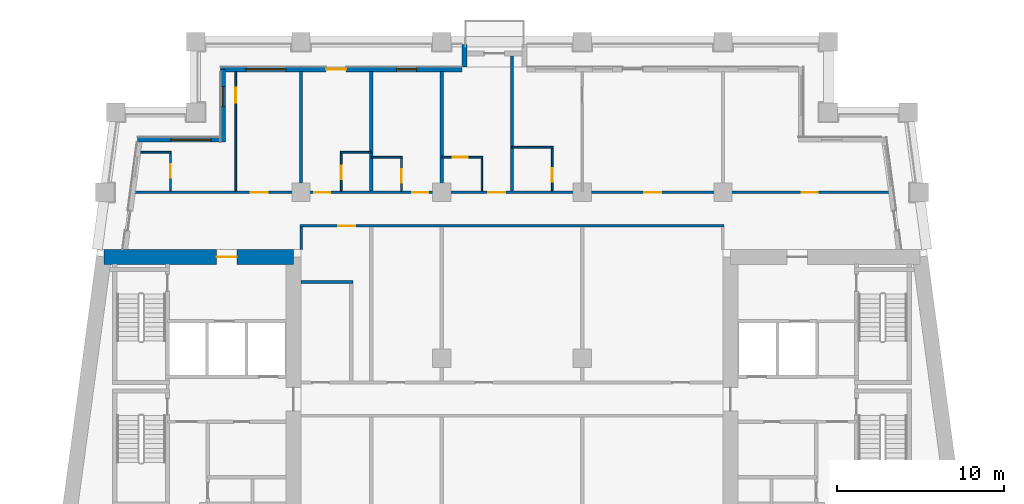
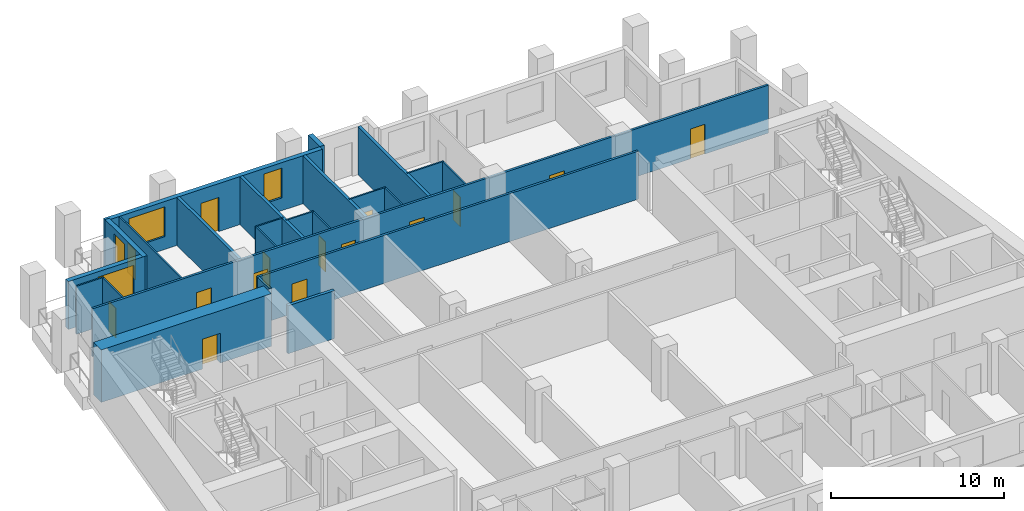
# One storey, part 6 of 12: 24 walls, 15 doors, 4 windows, 19 openings.
"""IFC4 building model written with IfcOpenShell, lengths in metres."""

from ifc_helpers import new_model, si_unit, direction, frame, frame_2d, origin, place, context, subcontext, project, spatial, rectangle, extrude, material, layer, layer_set, type_object, element, fill, save


model = new_model("IFC4")

# Units and contexts
model_context = context("Model", 3, precision=1e-05, world=origin(), true_north=direction((0.0, 1.0)))
body_context = subcontext(model_context, "Body", "Model", "MODEL_VIEW")
ifc_project = project(units=[si_unit("LENGTHUNIT", "METRE"), si_unit("AREAUNIT", "SQUARE_METRE"), si_unit("VOLUMEUNIT", "CUBIC_METRE"), si_unit("PLANEANGLEUNIT", "RADIAN"), si_unit("MASSUNIT", "GRAM", prefix="KILO")], contexts=[model_context])

# Site, building, storey
site_placement = place(None, origin())
site = spatial("IfcSite", under=ifc_project, at=site_placement, CompositionType="ELEMENT")
building_placement = place(site_placement, origin())
building = spatial("IfcBuilding", under=site, at=building_placement, Name="Candeia Pilgrim Tower and Theatre", CompositionType="ELEMENT")
storey_placement = place(building_placement, frame((0.0, 0.0, 184.800048828125)))
storey = spatial("IfcBuildingStorey", under=building, at=storey_placement, Name="L44", CompositionType="ELEMENT", Elevation=184.800048828125)

# Wall, opening, door
ifc_material_1 = material(Name="Concrete C60/75", Category="concrete")
ifc_layer_1 = layer(ifc_material_1, 0.89990234375)
ifc_layer_set_1 = layer_set([ifc_layer_1], Name="Core wall 900 C60/75")
wall_type_1 = type_object("IfcWallType", Name="Core wall 900 C60/75", PredefinedType="SHEAR", material=ifc_layer_set_1)
wall_1_placement = place(storey_placement, frame((89.024169921875, 131.949951171875, 0.0), z_axis=(0.0, 0.0, 1.0), x_axis=(1.0, 0.0, 0.0)))
wall_1 = element("IfcWall", 1, at=wall_1_placement, inside=storey, type_object=wall_type_1, Name="Core wall W1", PredefinedType="SHEAR", context=body_context, shape_type="SweptSolid", body=[
    extrude(rectangle(XDim=11.325927734375, YDim=0.89990234375, at=frame_2d((5.6630859375, 0.0))), origin(), (0.0, 0.0, 1.0), 3.699951171875),
])
opening_1_placement = place(wall_1_placement, frame((6.7392578125, 0.0, 0.0)))
opening_1 = element("IfcOpeningElement", 2, at=opening_1_placement, cuts=wall_1, Name="Opening L44-D054", PredefinedType="OPENING", context=body_context, shape_type="SweptSolid", body=[
    extrude(rectangle(XDim=1.199951171875, YDim=2.10009765625, at=frame_2d((0.60009765625, 1.050048828125))), frame((0.0, 0.4599609375, 0.0), z_axis=(0.0, -1.0, 0.0), x_axis=(1.0, 0.0, 0.0)), (0.0, 0.0, 1.0), 0.919921875),
])
ifc_material_2 = material(Name="Steel fire door set", Category="steel")
door_type_1 = type_object("IfcDoorType", Name="D-1200-FD60", OperationType="NOTDEFINED", PredefinedType="DOOR", material=ifc_material_2)
door_1_placement = place(opening_1_placement, origin())
door_1 = element("IfcDoor", 3, at=door_1_placement, inside=storey, type_object=door_type_1, Name="Door L44-D054", OperationType="SINGLE_SWING_RIGHT", OverallHeight=2.10009765625, OverallWidth=1.199951171875, PredefinedType="DOOR", context=body_context, shape_type="SweptSolid", body=[
    extrude(rectangle(XDim=1.199951171875, YDim=2.10009765625, at=frame_2d((0.60009765625, 1.050048828125))), frame((0.0, 0.02490234375, 0.0), z_axis=(0.0, -1.0, 0.0), x_axis=(1.0, 0.0, 0.0)), (0.0, 0.0, 1.0), 0.050048828125),
])
fill(opening_1, door_1)

# Wall, openings, door, windows
ifc_material_3 = material(Name="Ceramic block masonry", Category="masonry")
ifc_layer_2 = layer(ifc_material_3, 0.300048828125)
ifc_layer_set_2 = layer_set([ifc_layer_2], Name="EW1 glazing-line wall 300")
wall_type_2 = type_object("IfcWallType", Name="EW1 glazing-line wall 300", PredefinedType="SOLIDWALL", material=ifc_layer_set_2)
wall_2_placement = place(storey_placement, frame((110.39990234375, 143.14990234375, 0.0), z_axis=(0.0, 0.0, 1.0), x_axis=(-1.0, 0.0, 0.0)))
wall_2 = element("IfcWall", 4, at=wall_2_placement, inside=storey, type_object=wall_type_2, Name="External wall L44-6.1", PredefinedType="SOLIDWALL", context=body_context, shape_type="SweptSolid", body=[
    extrude(rectangle(XDim=14.39990234375, YDim=0.300048828125, at=frame_2d((7.199951171875, 0.0))), origin(), (0.0, 0.0, 1.0), 3.3798828125),
])
opening_2_placement = place(wall_2_placement, frame((2.699951171875, 0.0, 0.89990234375)))
opening_2 = element("IfcOpeningElement", 5, at=opening_2_placement, cuts=wall_2, Name="Opening W-B", PredefinedType="OPENING", context=body_context, shape_type="SweptSolid", body=[
    extrude(rectangle(XDim=1.199951171875, YDim=2.10009765625, at=frame_2d((0.60009765625, 1.050048828125))), frame((0.0, 0.16015625, 0.0), z_axis=(0.0, -1.0, 0.0), x_axis=(1.0, 0.0, 0.0)), (0.0, 0.0, 1.0), 0.320068359375),
])
opening_3_placement = place(wall_2_placement, frame((6.89990234375, 0.0, 0.0)))
opening_3 = element("IfcOpeningElement", 6, at=opening_3_placement, cuts=wall_2, Name="Opening L44-ED425", PredefinedType="OPENING", context=body_context, shape_type="SweptSolid", body=[
    extrude(rectangle(XDim=1.199951171875, YDim=2.39990234375, at=frame_2d((0.60009765625, 1.199951171875))), frame((0.0, 0.16015625, 0.0), z_axis=(0.0, -1.0, 0.0), x_axis=(1.0, 0.0, 0.0)), (0.0, 0.0, 1.0), 0.320068359375),
])
opening_4_placement = place(wall_2_placement, frame((10.5, 0.0, 0.89990234375)))
opening_4 = element("IfcOpeningElement", 7, at=opening_4_placement, cuts=wall_2, Name="Opening W-A", PredefinedType="OPENING", context=body_context, shape_type="SweptSolid", body=[
    extrude(rectangle(XDim=2.39990234375, YDim=2.10009765625, at=frame_2d((1.199951171875, 1.050048828125))), frame((0.0, 0.16015625, 0.0), z_axis=(0.0, -1.0, 0.0), x_axis=(1.0, 0.0, 0.0)), (0.0, 0.0, 1.0), 0.320068359375),
])
ifc_material_4 = material(Name="Aluminium framed glazed door", Category="aluminium")
door_type_2 = type_object("IfcDoorType", Name="Loggia door 1200x2400", OperationType="DOUBLE_DOOR_SINGLE_SWING", PredefinedType="DOOR", material=ifc_material_4)
door_2_placement = place(opening_3_placement, origin())
door_2 = element("IfcDoor", 8, at=door_2_placement, inside=storey, type_object=door_type_2, Name="Loggia door L44-ED425", OperationType="DOUBLE_DOOR_SINGLE_SWING", OverallHeight=2.39990234375, OverallWidth=1.199951171875, PredefinedType="DOOR", context=body_context, shape_type="SweptSolid", body=[
    extrude(rectangle(XDim=1.199951171875, YDim=2.39990234375, at=frame_2d((0.60009765625, 1.199951171875))), frame((0.0, 0.02490234375, 0.0), z_axis=(0.0, -1.0, 0.0), x_axis=(1.0, 0.0, 0.0)), (0.0, 0.0, 1.0), 0.050048828125),
])
fill(opening_3, door_2)
ifc_material_5 = material(Name="Aluminium framed double glazing", Category="aluminium")
window_type_1 = type_object("IfcWindowType", Name="W-A window 2400x2100", PartitioningType="DOUBLE_PANEL_VERTICAL", PredefinedType="WINDOW", material=ifc_material_5)
window_1_placement = place(opening_4_placement, origin())
window_1 = element("IfcWindow", 9, at=window_1_placement, inside=storey, type_object=window_type_1, Name="Window W-A L44", OverallHeight=2.10009765625, OverallWidth=2.39990234375, PartitioningType="SINGLE_PANEL", PredefinedType="WINDOW", context=body_context, shape_type="SweptSolid", body=[
    extrude(rectangle(XDim=2.39990234375, YDim=2.10009765625, at=frame_2d((1.199951171875, 1.050048828125))), frame((0.0, 0.030029296875, 0.0), z_axis=(0.0, -1.0, 0.0), x_axis=(1.0, 0.0, 0.0)), (0.0, 0.0, 1.0), 0.06005859375),
])
fill(opening_4, window_1)
window_type_2 = type_object("IfcWindowType", Name="W-B window 1200x2100", PartitioningType="SINGLE_PANEL", PredefinedType="WINDOW", material=ifc_material_5)
window_2_placement = place(opening_2_placement, origin())
window_2 = element("IfcWindow", 10, at=window_2_placement, inside=storey, type_object=window_type_2, Name="Window W-B L44", OverallHeight=2.10009765625, OverallWidth=1.199951171875, PartitioningType="SINGLE_PANEL", PredefinedType="WINDOW", context=body_context, shape_type="SweptSolid", body=[
    extrude(rectangle(XDim=1.199951171875, YDim=2.10009765625, at=frame_2d((0.60009765625, 1.050048828125))), frame((0.0, 0.030029296875, 0.0), z_axis=(0.0, -1.0, 0.0), x_axis=(1.0, 0.0, 0.0)), (0.0, 0.0, 1.0), 0.06005859375),
])
fill(opening_2, window_2)

# Wall, opening, window
wall_3_placement = place(storey_placement, frame((96.14990234375, 143.14990234375, 0.0), z_axis=(0.0, 0.0, 1.0), x_axis=(0.0, -1.0, 0.0)))
wall_3 = element("IfcWall", 11, at=wall_3_placement, inside=storey, type_object=wall_type_2, Name="External wall L44-7.0", PredefinedType="SOLIDWALL", context=body_context, shape_type="SweptSolid", body=[
    extrude(rectangle(XDim=4.349853515625, YDim=0.300048828125, at=frame_2d((2.1748046875, 0.0))), origin(), (0.0, 0.0, 1.0), 3.3798828125),
])
opening_5_placement = place(wall_3_placement, frame((1.02490234375, 0.0, 0.89990234375)))
opening_5 = element("IfcOpeningElement", 12, at=opening_5_placement, cuts=wall_3, Name="Opening W-B", PredefinedType="OPENING", context=body_context, shape_type="SweptSolid", body=[
    extrude(rectangle(XDim=1.199951171875, YDim=2.10009765625, at=frame_2d((0.60009765625, 1.050048828125))), frame((0.0, 0.16015625, 0.0), z_axis=(0.0, -1.0, 0.0), x_axis=(1.0, 0.0, 0.0)), (0.0, 0.0, 1.0), 0.320068359375),
])
window_3_placement = place(opening_5_placement, origin())
window_3 = element("IfcWindow", 13, at=window_3_placement, inside=storey, type_object=window_type_2, Name="Window W-B L44", OverallHeight=2.10009765625, OverallWidth=1.199951171875, PartitioningType="SINGLE_PANEL", PredefinedType="WINDOW", context=body_context, shape_type="SweptSolid", body=[
    extrude(rectangle(XDim=1.199951171875, YDim=2.10009765625, at=frame_2d((0.60009765625, 1.050048828125))), frame((0.0, 0.030029296875, 0.0), z_axis=(0.0, -1.0, 0.0), x_axis=(1.0, 0.0, 0.0)), (0.0, 0.0, 1.0), 0.06005859375),
])
fill(opening_5, window_3)

wall_4_placement = place(storey_placement, frame((96.14990234375, 138.949951171875, 0.0), z_axis=(0.0, 0.0, 1.0), x_axis=(-1.0, 0.0, 0.0)))
wall_4 = element("IfcWall", 14, at=wall_4_placement, inside=storey, type_object=wall_type_2, Name="External wall L44-8.0", PredefinedType="SOLIDWALL", context=body_context, shape_type="SweptSolid", body=[
    extrude(rectangle(XDim=5.103759765625, YDim=0.300048828125, at=frame_2d((2.5517578125, 0.0))), origin(), (0.0, 0.0, 1.0), 3.3798828125),
])
opening_6_placement = place(wall_4_placement, frame((0.72509765625, 0.0, 0.89990234375)))
opening_6 = element("IfcOpeningElement", 15, at=opening_6_placement, cuts=wall_4, Name="Opening W-A", PredefinedType="OPENING", context=body_context, shape_type="SweptSolid", body=[
    extrude(rectangle(XDim=2.39990234375, YDim=2.10009765625, at=frame_2d((1.199951171875, 1.050048828125))), frame((0.0, 0.16015625, 0.0), z_axis=(0.0, -1.0, 0.0), x_axis=(1.0, 0.0, 0.0)), (0.0, 0.0, 1.0), 0.320068359375),
])
window_4_placement = place(opening_6_placement, origin())
window_4 = element("IfcWindow", 16, at=window_4_placement, inside=storey, type_object=window_type_1, Name="Window W-A L44", OverallHeight=2.10009765625, OverallWidth=2.39990234375, PartitioningType="SINGLE_PANEL", PredefinedType="WINDOW", context=body_context, shape_type="SweptSolid", body=[
    extrude(rectangle(XDim=2.39990234375, YDim=2.10009765625, at=frame_2d((1.199951171875, 1.050048828125))), frame((0.0, 0.030029296875, 0.0), z_axis=(0.0, -1.0, 0.0), x_axis=(1.0, 0.0, 0.0)), (0.0, 0.0, 1.0), 0.06005859375),
])
fill(opening_6, window_4)

# Walls
ifc_layer_3 = layer(ifc_material_3, 0.300048828125)
ifc_layer_set_3 = layer_set([ifc_layer_3], Name="EW2 entrance infill wall 300")
wall_type_3 = type_object("IfcWallType", Name="EW2 entrance infill wall 300", PredefinedType="SOLIDWALL", material=ifc_layer_set_3)
wall_5_placement = place(storey_placement, frame((110.550048828125, 143.300048828125, 0.0), z_axis=(0.0, 0.0, 1.0), x_axis=(0.0, 1.0, 0.0)))
element("IfcWall", 17, at=wall_5_placement, inside=storey, type_object=wall_type_3, Name="Alcove wall L44", PredefinedType="SOLIDWALL", context=body_context, shape_type="SweptSolid", body=[
    extrude(rectangle(XDim=1.349853515625, YDim=0.300048828125, at=frame_2d((0.6748046875, 0.0))), origin(), (0.0, 0.0, 1.0), 3.3798828125),
])
ifc_material_6 = material(Name="Gypsum board partition on steel studs", Category="steel")
ifc_layer_4 = layer(ifc_material_6, 0.10009765625)
ifc_layer_set_4 = layer_set([ifc_layer_4], Name="PW-100 room partition")
wall_type_4 = type_object("IfcWallType", Name="PW-100 room partition", PredefinedType="PARTITIONING", material=ifc_layer_set_4)
wall_6_placement = place(storey_placement, frame((105.0, 137.89990234375, 0.0), z_axis=(0.0, 0.0, 1.0), x_axis=(1.0, 0.0, 0.0)))
element("IfcWall", 18, at=wall_6_placement, inside=storey, type_object=wall_type_4, Name="Room partition L44-042", PredefinedType="PARTITIONING", context=body_context, shape_type="SweptSolid", body=[
    extrude(rectangle(XDim=1.85009765625, YDim=0.10009765625, at=frame_2d((0.925048828125, 0.0))), origin(), (0.0, 0.0, 1.0), 3.3798828125),
])

# Wall, opening, door
wall_7_placement = place(storey_placement, frame((109.199951171875, 137.89990234375, 0.0), z_axis=(0.0, 0.0, 1.0), x_axis=(1.0, 0.0, 0.0)))
wall_7 = element("IfcWall", 19, at=wall_7_placement, inside=storey, type_object=wall_type_4, Name="Room partition L44-043", PredefinedType="PARTITIONING", context=body_context, shape_type="SweptSolid", body=[
    extrude(rectangle(XDim=2.449951171875, YDim=0.10009765625, at=frame_2d((1.22509765625, 0.0))), origin(), (0.0, 0.0, 1.0), 3.3798828125),
])
opening_7_placement = place(wall_7_placement, frame((0.669921875, 0.0, 0.0)))
opening_7 = element("IfcOpeningElement", 20, at=opening_7_placement, cuts=wall_7, Name="Opening L44-D039", PredefinedType="OPENING", context=body_context, shape_type="SweptSolid", body=[
    extrude(rectangle(XDim=0.89990234375, YDim=2.10009765625, at=frame_2d((0.449951171875, 1.050048828125))), frame((0.0, 0.06005859375, 0.0), z_axis=(0.0, -1.0, 0.0), x_axis=(1.0, 0.0, 0.0)), (0.0, 0.0, 1.0), 0.1201171875),
])
ifc_material_7 = material(Name="Timber door leaf", Category="wood")
door_type_3 = type_object("IfcDoorType", Name="D-900", OperationType="NOTDEFINED", PredefinedType="DOOR", material=ifc_material_7)
door_3_placement = place(opening_7_placement, origin())
door_3 = element("IfcDoor", 21, at=door_3_placement, inside=storey, type_object=door_type_3, Name="Door L44-D039", OperationType="SINGLE_SWING_LEFT", OverallHeight=2.10009765625, OverallWidth=0.89990234375, PredefinedType="DOOR", context=body_context, shape_type="SweptSolid", body=[
    extrude(rectangle(XDim=0.89990234375, YDim=2.10009765625, at=frame_2d((0.449951171875, 1.050048828125))), frame((0.0, 0.02490234375, 0.0), z_axis=(0.0, -1.0, 0.0), x_axis=(1.0, 0.0, 0.0)), (0.0, 0.0, 1.0), 0.050048828125),
])
fill(opening_7, door_3)

# Walls
wall_8_placement = place(storey_placement, frame((91.2177734375, 138.199951171875, 0.0), z_axis=(0.0, 0.0, 1.0), x_axis=(1.0, 0.0, 0.0)))
element("IfcWall", 22, at=wall_8_placement, inside=storey, type_object=wall_type_4, Name="Room partition L44-044", PredefinedType="PARTITIONING", context=body_context, shape_type="SweptSolid", body=[
    extrude(rectangle(XDim=1.832275390625, YDim=0.10009765625, at=frame_2d((0.916015625, 0.0))), origin(), (0.0, 0.0, 1.0), 3.3798828125),
])
wall_9_placement = place(storey_placement, frame((103.14990234375, 138.199951171875, 0.0), z_axis=(0.0, 0.0, 1.0), x_axis=(1.0, 0.0, 0.0)))
element("IfcWall", 23, at=wall_9_placement, inside=storey, type_object=wall_type_4, Name="Room partition L44-045", PredefinedType="PARTITIONING", context=body_context, shape_type="SweptSolid", body=[
    extrude(rectangle(XDim=1.85009765625, YDim=0.10009765625, at=frame_2d((0.925048828125, 0.0))), origin(), (0.0, 0.0, 1.0), 3.3798828125),
])
wall_10_placement = place(storey_placement, frame((113.39990234375, 138.5, 0.0), z_axis=(0.0, 0.0, 1.0), x_axis=(1.0, 0.0, 0.0)))
element("IfcWall", 24, at=wall_10_placement, inside=storey, type_object=wall_type_4, Name="Room partition L44-046", PredefinedType="PARTITIONING", context=body_context, shape_type="SweptSolid", body=[
    extrude(rectangle(XDim=2.4501953125, YDim=0.10009765625, at=frame_2d((1.22509765625, 0.0))), origin(), (0.0, 0.0, 1.0), 3.3798828125),
])

# Wall, opening, door
wall_11_placement = place(storey_placement, frame((93.0, 135.875, 0.0), z_axis=(0.0, 0.0, 1.0), x_axis=(0.0, 1.0, 0.0)))
wall_11 = element("IfcWall", 25, at=wall_11_placement, inside=storey, type_object=wall_type_4, Name="Room partition L44-058", PredefinedType="PARTITIONING", context=body_context, shape_type="SweptSolid", body=[
    extrude(rectangle(XDim=2.27490234375, YDim=0.10009765625, at=frame_2d((1.137451171875, 0.0))), origin(), (0.0, 0.0, 1.0), 3.3798828125),
])
opening_8_placement = place(wall_11_placement, frame((0.81494140625, 0.0, 0.0)))
opening_8 = element("IfcOpeningElement", 26, at=opening_8_placement, cuts=wall_11, Name="Opening L44-D033", PredefinedType="OPENING", context=body_context, shape_type="SweptSolid", body=[
    extrude(rectangle(XDim=0.800048828125, YDim=2.10009765625, at=frame_2d((0.39990234375, 1.050048828125))), frame((0.0, 0.06005859375, 0.0), z_axis=(0.0, -1.0, 0.0), x_axis=(1.0, 0.0, 0.0)), (0.0, 0.0, 1.0), 0.1201171875),
])
door_type_4 = type_object("IfcDoorType", Name="D-800", OperationType="NOTDEFINED", PredefinedType="DOOR", material=ifc_material_7)
door_4_placement = place(opening_8_placement, origin())
door_4 = element("IfcDoor", 27, at=door_4_placement, inside=storey, type_object=door_type_4, Name="Door L44-D033", OperationType="SINGLE_SWING_LEFT", OverallHeight=2.10009765625, OverallWidth=0.800048828125, PredefinedType="DOOR", context=body_context, shape_type="SweptSolid", body=[
    extrude(rectangle(XDim=0.800048828125, YDim=2.10009765625, at=frame_2d((0.39990234375, 1.050048828125))), frame((0.0, 0.02490234375, 0.0), z_axis=(0.0, -1.0, 0.0), x_axis=(1.0, 0.0, 0.0)), (0.0, 0.0, 1.0), 0.050048828125),
])
fill(opening_8, door_4)

wall_12_placement = place(storey_placement, frame((96.89990234375, 135.875, 0.0), z_axis=(0.0, 0.0, 1.0), x_axis=(0.0, 1.0, 0.0)))
wall_12 = element("IfcWall", 28, at=wall_12_placement, inside=storey, type_object=wall_type_4, Name="Room partition L44-063", PredefinedType="PARTITIONING", context=body_context, shape_type="SweptSolid", body=[
    extrude(rectangle(XDim=7.135009765625, YDim=0.10009765625, at=frame_2d((3.5673828125, 0.0))), origin(), (0.0, 0.0, 1.0), 3.3798828125),
])
opening_9_placement = place(wall_12_placement, frame((5.2900390625, 0.0, 0.0)))
opening_9 = element("IfcOpeningElement", 29, at=opening_9_placement, cuts=wall_12, Name="Opening L44-D032", PredefinedType="OPENING", context=body_context, shape_type="SweptSolid", body=[
    extrude(rectangle(XDim=0.89990234375, YDim=2.10009765625, at=frame_2d((0.449951171875, 1.050048828125))), frame((0.0, 0.06005859375, 0.0), z_axis=(0.0, -1.0, 0.0), x_axis=(1.0, 0.0, 0.0)), (0.0, 0.0, 1.0), 0.1201171875),
])
door_5_placement = place(opening_9_placement, origin())
door_5 = element("IfcDoor", 30, at=door_5_placement, inside=storey, type_object=door_type_3, Name="Door L44-D032", OperationType="SINGLE_SWING_RIGHT", OverallHeight=2.10009765625, OverallWidth=0.89990234375, PredefinedType="DOOR", context=body_context, shape_type="SweptSolid", body=[
    extrude(rectangle(XDim=0.89990234375, YDim=2.10009765625, at=frame_2d((0.449951171875, 1.050048828125))), frame((0.0, 0.02490234375, 0.0), z_axis=(0.0, -1.0, 0.0), x_axis=(1.0, 0.0, 0.0)), (0.0, 0.0, 1.0), 0.050048828125),
])
fill(opening_9, door_5)

wall_13_placement = place(storey_placement, frame((103.199951171875, 135.875, 0.0), z_axis=(0.0, 0.0, 1.0), x_axis=(0.0, 1.0, 0.0)))
wall_13 = element("IfcWall", 31, at=wall_13_placement, inside=storey, type_object=wall_type_4, Name="Room partition L44-072", PredefinedType="PARTITIONING", context=body_context, shape_type="SweptSolid", body=[
    extrude(rectangle(XDim=2.27490234375, YDim=0.10009765625, at=frame_2d((1.137451171875, 0.0))), origin(), (0.0, 0.0, 1.0), 3.3798828125),
])
opening_10_placement = place(wall_13_placement, frame((0.72509765625, 0.0, 0.0)))
opening_10 = element("IfcOpeningElement", 32, at=opening_10_placement, cuts=wall_13, Name="Opening L44-D035", PredefinedType="OPENING", context=body_context, shape_type="SweptSolid", body=[
    extrude(rectangle(XDim=0.800048828125, YDim=2.10009765625, at=frame_2d((0.39990234375, 1.050048828125))), frame((0.0, 0.06005859375, 0.0), z_axis=(0.0, -1.0, 0.0), x_axis=(1.0, 0.0, 0.0)), (0.0, 0.0, 1.0), 0.1201171875),
])
door_6_placement = place(opening_10_placement, origin())
door_6 = element("IfcDoor", 33, at=door_6_placement, inside=storey, type_object=door_type_4, Name="Door L44-D035", OperationType="SINGLE_SWING_LEFT", OverallHeight=2.10009765625, OverallWidth=0.800048828125, PredefinedType="DOOR", context=body_context, shape_type="SweptSolid", body=[
    extrude(rectangle(XDim=0.800048828125, YDim=2.10009765625, at=frame_2d((0.39990234375, 1.050048828125))), frame((0.0, 0.02490234375, 0.0), z_axis=(0.0, -1.0, 0.0), x_axis=(1.0, 0.0, 0.0)), (0.0, 0.0, 1.0), 0.050048828125),
])
fill(opening_10, door_6)

wall_14_placement = place(storey_placement, frame((106.800048828125, 135.875, 0.0), z_axis=(0.0, 0.0, 1.0), x_axis=(0.0, 1.0, 0.0)))
wall_14 = element("IfcWall", 34, at=wall_14_placement, inside=storey, type_object=wall_type_4, Name="Room partition L44-078", PredefinedType="PARTITIONING", context=body_context, shape_type="SweptSolid", body=[
    extrude(rectangle(XDim=1.97509765625, YDim=0.10009765625, at=frame_2d((0.987548828125, 0.0))), origin(), (0.0, 0.0, 1.0), 3.3798828125),
])
opening_11_placement = place(wall_14_placement, frame((0.514892578125, 0.0, 0.0)))
opening_11 = element("IfcOpeningElement", 35, at=opening_11_placement, cuts=wall_14, Name="Opening L44-D037", PredefinedType="OPENING", context=body_context, shape_type="SweptSolid", body=[
    extrude(rectangle(XDim=0.800048828125, YDim=2.10009765625, at=frame_2d((0.39990234375, 1.050048828125))), frame((0.0, 0.06005859375, 0.0), z_axis=(0.0, -1.0, 0.0), x_axis=(1.0, 0.0, 0.0)), (0.0, 0.0, 1.0), 0.1201171875),
])
door_7_placement = place(opening_11_placement, origin())
door_7 = element("IfcDoor", 36, at=door_7_placement, inside=storey, type_object=door_type_4, Name="Door L44-D037", OperationType="SINGLE_SWING_LEFT", OverallHeight=2.10009765625, OverallWidth=0.800048828125, PredefinedType="DOOR", context=body_context, shape_type="SweptSolid", body=[
    extrude(rectangle(XDim=0.800048828125, YDim=2.10009765625, at=frame_2d((0.39990234375, 1.050048828125))), frame((0.0, 0.02490234375, 0.0), z_axis=(0.0, -1.0, 0.0), x_axis=(1.0, 0.0, 0.0)), (0.0, 0.0, 1.0), 0.050048828125),
])
fill(opening_11, door_7)

# Wall
wall_15_placement = place(storey_placement, frame((111.60009765625, 135.875, 0.0), z_axis=(0.0, 0.0, 1.0), x_axis=(0.0, 1.0, 0.0)))
element("IfcWall", 37, at=wall_15_placement, inside=storey, type_object=wall_type_4, Name="Room partition L44-083", PredefinedType="PARTITIONING", context=body_context, shape_type="SweptSolid", body=[
    extrude(rectangle(XDim=1.97509765625, YDim=0.10009765625, at=frame_2d((0.987548828125, 0.0))), origin(), (0.0, 0.0, 1.0), 3.3798828125),
])

# Wall, opening, door
wall_16_placement = place(storey_placement, frame((115.800048828125, 135.875, 0.0), z_axis=(0.0, 0.0, 1.0), x_axis=(0.0, 1.0, 0.0)))
wall_16 = element("IfcWall", 38, at=wall_16_placement, inside=storey, type_object=wall_type_4, Name="Room partition L44-086", PredefinedType="PARTITIONING", context=body_context, shape_type="SweptSolid", body=[
    extrude(rectangle(XDim=2.574951171875, YDim=0.10009765625, at=frame_2d((1.28759765625, 0.0))), origin(), (0.0, 0.0, 1.0), 3.3798828125),
])
opening_12_placement = place(wall_16_placement, frame((0.574951171875, 0.0, 0.0)))
opening_12 = element("IfcOpeningElement", 39, at=opening_12_placement, cuts=wall_16, Name="Opening L44-D042", PredefinedType="OPENING", context=body_context, shape_type="SweptSolid", body=[
    extrude(rectangle(XDim=0.800048828125, YDim=2.10009765625, at=frame_2d((0.39990234375, 1.050048828125))), frame((0.0, 0.06005859375, 0.0), z_axis=(0.0, -1.0, 0.0), x_axis=(1.0, 0.0, 0.0)), (0.0, 0.0, 1.0), 0.1201171875),
])
door_8_placement = place(opening_12_placement, origin())
door_8 = element("IfcDoor", 40, at=door_8_placement, inside=storey, type_object=door_type_4, Name="Door L44-D042", OperationType="SINGLE_SWING_RIGHT", OverallHeight=2.10009765625, OverallWidth=0.800048828125, PredefinedType="DOOR", context=body_context, shape_type="SweptSolid", body=[
    extrude(rectangle(XDim=0.800048828125, YDim=2.10009765625, at=frame_2d((0.39990234375, 1.050048828125))), frame((0.0, 0.02490234375, 0.0), z_axis=(0.0, -1.0, 0.0), x_axis=(1.0, 0.0, 0.0)), (0.0, 0.0, 1.0), 0.050048828125),
])
fill(opening_12, door_8)

ifc_layer_5 = layer(ifc_material_6, 0.14990234375)
ifc_layer_set_5 = layer_set([ifc_layer_5], Name="PW-150 unit wall")
wall_type_5 = type_object("IfcWallType", Name="PW-150 unit wall", PredefinedType="PARTITIONING", material=ifc_layer_set_5)
wall_17_placement = place(storey_placement, frame((100.72509765625, 133.800048828125, 0.0), z_axis=(0.0, 0.0, 1.0), x_axis=(1.0, 0.0, 0.0)))
wall_17 = element("IfcWall", 41, at=wall_17_placement, inside=storey, type_object=wall_type_5, Name="Unit wall L44-040", PredefinedType="PARTITIONING", context=body_context, shape_type="SweptSolid", body=[
    extrude(rectangle(XDim=25.349853515625, YDim=0.14990234375, at=frame_2d((12.6748046875, 0.0))), origin(), (0.0, 0.0, 1.0), 3.3798828125),
])
opening_13_placement = place(wall_17_placement, frame((2.300048828125, 0.0, 0.0)))
opening_13 = element("IfcOpeningElement", 42, at=opening_13_placement, cuts=wall_17, Name="Opening L44-D044", PredefinedType="OPENING", context=body_context, shape_type="SweptSolid", body=[
    extrude(rectangle(XDim=1.0, YDim=2.10009765625, at=frame_2d((0.5, 1.050048828125))), frame((0.0, 0.0849609375, 0.0), z_axis=(0.0, -1.0, 0.0), x_axis=(1.0, 0.0, 0.0)), (0.0, 0.0, 1.0), 0.169921875),
])
door_type_5 = type_object("IfcDoorType", Name="D-1000-FD30S", OperationType="NOTDEFINED", PredefinedType="DOOR", material=ifc_material_2)
door_9_placement = place(opening_13_placement, origin())
door_9 = element("IfcDoor", 43, at=door_9_placement, inside=storey, type_object=door_type_5, Name="Door L44-D044", OperationType="SINGLE_SWING_RIGHT", OverallHeight=2.10009765625, OverallWidth=1.0, PredefinedType="DOOR", context=body_context, shape_type="SweptSolid", body=[
    extrude(rectangle(XDim=1.0, YDim=2.10009765625, at=frame_2d((0.5, 1.050048828125))), frame((0.0, 0.02490234375, 0.0), z_axis=(0.0, -1.0, 0.0), x_axis=(1.0, 0.0, 0.0)), (0.0, 0.0, 1.0), 0.050048828125),
])
fill(opening_13, door_9)

# Wall, openings, doors
wall_18_placement = place(storey_placement, frame((90.89453125, 135.800048828125, 0.0), z_axis=(0.0, 0.0, 1.0), x_axis=(1.0, 0.0, 0.0)))
wall_18 = element("IfcWall", 44, at=wall_18_placement, inside=storey, type_object=wall_type_5, Name="Unit wall L44-041", PredefinedType="PARTITIONING", context=body_context, shape_type="SweptSolid", body=[
    extrude(rectangle(XDim=45.010986328125, YDim=0.14990234375, at=frame_2d((22.50537109375, 0.0))), origin(), (0.0, 0.0, 1.0), 3.3798828125),
])
opening_14_placement = place(wall_18_placement, frame((6.905517578125, 0.0, 0.0)))
opening_14 = element("IfcOpeningElement", 45, at=opening_14_placement, cuts=wall_18, Name="Opening L44-D031", PredefinedType="OPENING", context=body_context, shape_type="SweptSolid", body=[
    extrude(rectangle(XDim=1.0, YDim=2.10009765625, at=frame_2d((0.5, 1.050048828125))), frame((0.0, 0.0849609375, 0.0), z_axis=(0.0, -1.0, 0.0), x_axis=(1.0, 0.0, 0.0)), (0.0, 0.0, 1.0), 0.169921875),
])
opening_15_placement = place(wall_18_placement, frame((10.705322265625, 0.0, 0.0)))
opening_15 = element("IfcOpeningElement", 46, at=opening_15_placement, cuts=wall_18, Name="Opening L44-D034", PredefinedType="OPENING", context=body_context, shape_type="SweptSolid", body=[
    extrude(rectangle(XDim=0.949951171875, YDim=2.10009765625, at=frame_2d((0.47509765625, 1.050048828125))), frame((0.0, 0.0849609375, 0.0), z_axis=(0.0, -1.0, 0.0), x_axis=(1.0, 0.0, 0.0)), (0.0, 0.0, 1.0), 0.169921875),
])
opening_16_placement = place(wall_18_placement, frame((16.555419921875, 0.0, 0.0)))
opening_16 = element("IfcOpeningElement", 47, at=opening_16_placement, cuts=wall_18, Name="Opening L44-D036", PredefinedType="OPENING", context=body_context, shape_type="SweptSolid", body=[
    extrude(rectangle(XDim=0.949951171875, YDim=2.10009765625, at=frame_2d((0.47509765625, 1.050048828125))), frame((0.0, 0.0849609375, 0.0), z_axis=(0.0, -1.0, 0.0), x_axis=(1.0, 0.0, 0.0)), (0.0, 0.0, 1.0), 0.169921875),
])
opening_17_placement = place(wall_18_placement, frame((21.095458984375, 0.0, 0.0)))
opening_17 = element("IfcOpeningElement", 48, at=opening_17_placement, cuts=wall_18, Name="Opening L44-D038", PredefinedType="OPENING", context=body_context, shape_type="SweptSolid", body=[
    extrude(rectangle(XDim=1.0, YDim=2.10009765625, at=frame_2d((0.5, 1.050048828125))), frame((0.0, 0.0849609375, 0.0), z_axis=(0.0, -1.0, 0.0), x_axis=(1.0, 0.0, 0.0)), (0.0, 0.0, 1.0), 0.169921875),
])
opening_18_placement = place(wall_18_placement, frame((30.405517578125, 0.0, 0.0)))
opening_18 = element("IfcOpeningElement", 49, at=opening_18_placement, cuts=wall_18, Name="Opening L44-D040", PredefinedType="OPENING", context=body_context, shape_type="SweptSolid", body=[
    extrude(rectangle(XDim=1.0, YDim=2.10009765625, at=frame_2d((0.5, 1.050048828125))), frame((0.0, 0.0849609375, 0.0), z_axis=(0.0, -1.0, 0.0), x_axis=(1.0, 0.0, 0.0)), (0.0, 0.0, 1.0), 0.169921875),
])
opening_19_placement = place(wall_18_placement, frame((39.814453125, 0.0, 0.0)))
opening_19 = element("IfcOpeningElement", 50, at=opening_19_placement, cuts=wall_18, Name="Opening L44-D043", PredefinedType="OPENING", context=body_context, shape_type="SweptSolid", body=[
    extrude(rectangle(XDim=0.949951171875, YDim=2.10009765625, at=frame_2d((0.47509765625, 1.050048828125))), frame((0.0, 0.0849609375, 0.0), z_axis=(0.0, -1.0, 0.0), x_axis=(1.0, 0.0, 0.0)), (0.0, 0.0, 1.0), 0.169921875),
])
door_10_placement = place(opening_14_placement, origin())
door_10 = element("IfcDoor", 51, at=door_10_placement, inside=storey, type_object=door_type_5, Name="Door L44-D031", OperationType="SINGLE_SWING_LEFT", OverallHeight=2.10009765625, OverallWidth=1.0, PredefinedType="DOOR", context=body_context, shape_type="SweptSolid", body=[
    extrude(rectangle(XDim=1.0, YDim=2.10009765625, at=frame_2d((0.5, 1.050048828125))), frame((0.0, 0.02490234375, 0.0), z_axis=(0.0, -1.0, 0.0), x_axis=(1.0, 0.0, 0.0)), (0.0, 0.0, 1.0), 0.050048828125),
])
fill(opening_14, door_10)
door_11_placement = place(opening_17_placement, origin())
door_11 = element("IfcDoor", 52, at=door_11_placement, inside=storey, type_object=door_type_5, Name="Door L44-D038", OperationType="SINGLE_SWING_RIGHT", OverallHeight=2.10009765625, OverallWidth=1.0, PredefinedType="DOOR", context=body_context, shape_type="SweptSolid", body=[
    extrude(rectangle(XDim=1.0, YDim=2.10009765625, at=frame_2d((0.5, 1.050048828125))), frame((0.0, 0.02490234375, 0.0), z_axis=(0.0, -1.0, 0.0), x_axis=(1.0, 0.0, 0.0)), (0.0, 0.0, 1.0), 0.050048828125),
])
fill(opening_17, door_11)
door_12_placement = place(opening_18_placement, origin())
door_12 = element("IfcDoor", 53, at=door_12_placement, inside=storey, type_object=door_type_5, Name="Door L44-D040", OperationType="SINGLE_SWING_RIGHT", OverallHeight=2.10009765625, OverallWidth=1.0, PredefinedType="DOOR", context=body_context, shape_type="SweptSolid", body=[
    extrude(rectangle(XDim=1.0, YDim=2.10009765625, at=frame_2d((0.5, 1.050048828125))), frame((0.0, 0.02490234375, 0.0), z_axis=(0.0, -1.0, 0.0), x_axis=(1.0, 0.0, 0.0)), (0.0, 0.0, 1.0), 0.050048828125),
])
fill(opening_18, door_12)
door_type_6 = type_object("IfcDoorType", Name="D-950-FD30S", OperationType="NOTDEFINED", PredefinedType="DOOR", material=ifc_material_2)
door_13_placement = place(opening_15_placement, origin())
door_13 = element("IfcDoor", 54, at=door_13_placement, inside=storey, type_object=door_type_6, Name="Door L44-D034", OperationType="SINGLE_SWING_RIGHT", OverallHeight=2.10009765625, OverallWidth=0.949951171875, PredefinedType="DOOR", context=body_context, shape_type="SweptSolid", body=[
    extrude(rectangle(XDim=0.949951171875, YDim=2.10009765625, at=frame_2d((0.47509765625, 1.050048828125))), frame((0.0, 0.02490234375, 0.0), z_axis=(0.0, -1.0, 0.0), x_axis=(1.0, 0.0, 0.0)), (0.0, 0.0, 1.0), 0.050048828125),
])
fill(opening_15, door_13)
door_14_placement = place(opening_16_placement, origin())
door_14 = element("IfcDoor", 55, at=door_14_placement, inside=storey, type_object=door_type_6, Name="Door L44-D036", OperationType="SINGLE_SWING_RIGHT", OverallHeight=2.10009765625, OverallWidth=0.949951171875, PredefinedType="DOOR", context=body_context, shape_type="SweptSolid", body=[
    extrude(rectangle(XDim=0.949951171875, YDim=2.10009765625, at=frame_2d((0.47509765625, 1.050048828125))), frame((0.0, 0.02490234375, 0.0), z_axis=(0.0, -1.0, 0.0), x_axis=(1.0, 0.0, 0.0)), (0.0, 0.0, 1.0), 0.050048828125),
])
fill(opening_16, door_14)
door_15_placement = place(opening_19_placement, origin())
door_15 = element("IfcDoor", 56, at=door_15_placement, inside=storey, type_object=door_type_6, Name="Door L44-D043", OperationType="SINGLE_SWING_LEFT", OverallHeight=2.10009765625, OverallWidth=0.949951171875, PredefinedType="DOOR", context=body_context, shape_type="SweptSolid", body=[
    extrude(rectangle(XDim=0.949951171875, YDim=2.10009765625, at=frame_2d((0.47509765625, 1.050048828125))), frame((0.0, 0.02490234375, 0.0), z_axis=(0.0, -1.0, 0.0), x_axis=(1.0, 0.0, 0.0)), (0.0, 0.0, 1.0), 0.050048828125),
])
fill(opening_19, door_15)

# Walls
wall_19_placement = place(storey_placement, frame((100.800048828125, 132.39990234375, 0.0), z_axis=(0.0, 0.0, 1.0), x_axis=(0.0, 1.0, 0.0)))
element("IfcWall", 57, at=wall_19_placement, inside=storey, type_object=wall_type_5, Name="Unit wall L44-070", PredefinedType="PARTITIONING", context=body_context, shape_type="SweptSolid", body=[
    extrude(rectangle(XDim=1.3251953125, YDim=0.14990234375, at=frame_2d((0.66259765625, 0.0))), origin(), (0.0, 0.0, 1.0), 3.3798828125),
])
ifc_layer_6 = layer(ifc_material_6, 0.199951171875)
ifc_layer_set_6 = layer_set([ifc_layer_6], Name="PW-200 party wall")
wall_type_6 = type_object("IfcWallType", Name="PW-200 party wall", PredefinedType="PARTITIONING", material=ifc_layer_set_6)
wall_20_placement = place(storey_placement, frame((100.800048828125, 130.449951171875, 0.0), z_axis=(0.0, 0.0, 1.0), x_axis=(1.0, 0.0, 0.0)))
element("IfcWall", 58, at=wall_20_placement, inside=storey, type_object=wall_type_6, Name="Party wall L44-037", PredefinedType="PARTITIONING", context=body_context, shape_type="SweptSolid", body=[
    extrude(rectangle(XDim=3.099853515625, YDim=0.199951171875, at=frame_2d((1.5498046875, 0.0))), origin(), (0.0, 0.0, 1.0), 3.3798828125),
])
for number, where, z_axis, x_axis, name in (
    (59, (100.800048828125, 135.875, 0.0), (0.0, 0.0, 1.0), (0.0, 1.0, 0.0), "Party wall L44-068"),
    (60, (105.0, 135.875, 0.0), (0.0, 0.0, 1.0), (0.0, 1.0, 0.0), "Party wall L44-077"),
    (61, (109.199951171875, 135.875, 0.0), (0.0, 0.0, 1.0), (0.0, 1.0, 0.0), "Party wall L44-082"),
):
    element("IfcWall", number, at=place(storey_placement, frame(where, z_axis=z_axis, x_axis=x_axis)), inside=storey, type_object=wall_type_6, Name=name, PredefinedType="PARTITIONING", context=body_context, shape_type="SweptSolid", body=[
        extrude(rectangle(XDim=7.135009765625, YDim=0.199951171875, at=frame_2d((3.5673828125, 0.0))), origin(), (0.0, 0.0, 1.0), 3.3798828125),
    ])
wall_21_placement = place(storey_placement, frame((113.39990234375, 135.875, 0.0), z_axis=(0.0, 0.0, 1.0), x_axis=(0.0, 1.0, 0.0)))
element("IfcWall", 62, at=wall_21_placement, inside=storey, type_object=wall_type_6, Name="Party wall L44-085", PredefinedType="PARTITIONING", context=body_context, shape_type="SweptSolid", body=[
    extrude(rectangle(XDim=8.0849609375, YDim=0.199951171875, at=frame_2d((4.04248046875, 0.0))), origin(), (0.0, 0.0, 1.0), 3.3798828125),
])

save(model, "model.ifc")
